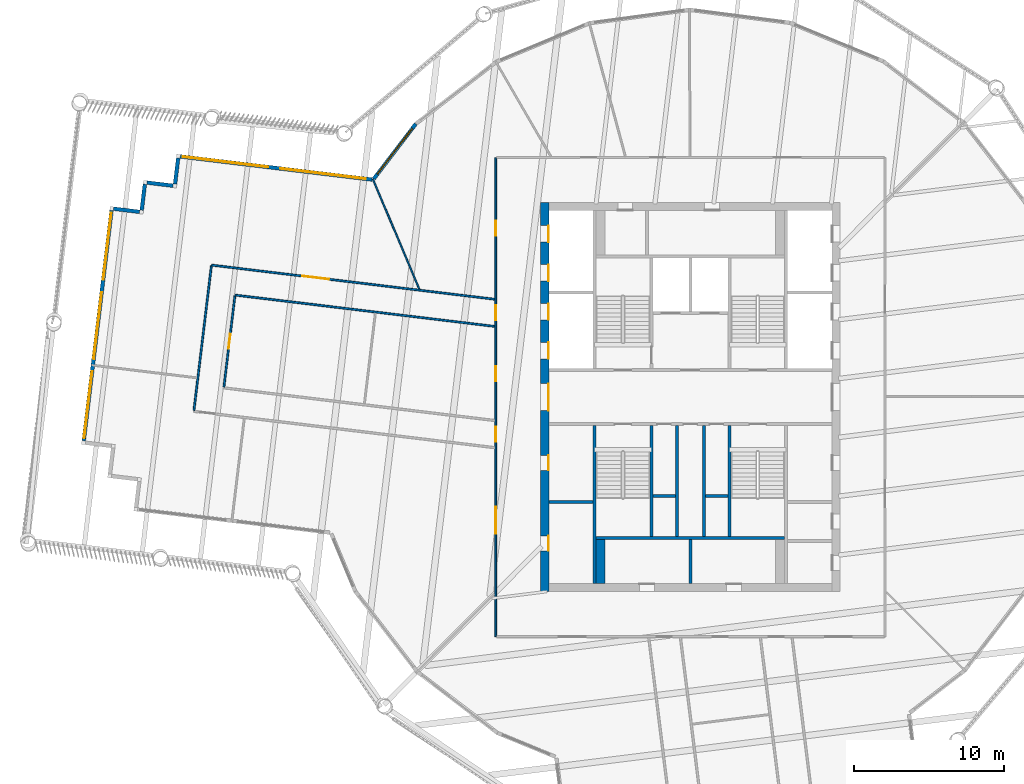
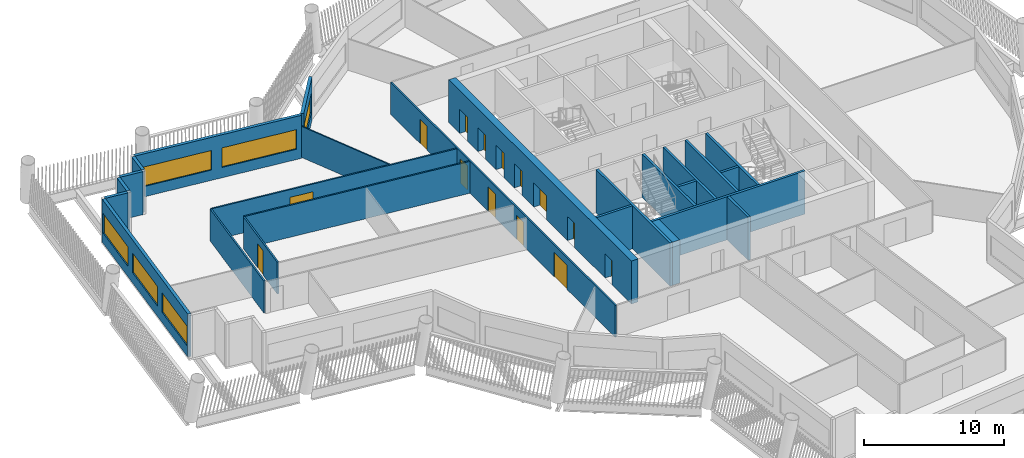
# One storey, part 4 of 14: 25 walls, 14 doors, 6 windows, 20 openings.
"""IFC4 building model written with IfcOpenShell, lengths in metres."""

from ifc_helpers import new_model, si_unit, direction, frame, frame_2d, origin, place, context, subcontext, project, spatial, rectangle, extrude, material, layer, layer_set, type_object, element, fill, save


model = new_model("IFC4")

# Units and contexts
model_context = context("Model", 3, precision=1e-05, world=origin(), true_north=direction((0.0, 1.0)))
body_context = subcontext(model_context, "Body", "Model", "MODEL_VIEW")
ifc_project = project(units=[si_unit("LENGTHUNIT", "METRE"), si_unit("AREAUNIT", "SQUARE_METRE"), si_unit("VOLUMEUNIT", "CUBIC_METRE"), si_unit("PLANEANGLEUNIT", "RADIAN"), si_unit("MASSUNIT", "GRAM", prefix="KILO")], contexts=[model_context])

# Site, building, storey
site_placement = place(None, origin())
site = spatial("IfcSite", under=ifc_project, at=site_placement, CompositionType="ELEMENT")
building_placement = place(site_placement, origin())
building = spatial("IfcBuilding", under=site, at=building_placement, Name="Tarsis Ring Headquarters", CompositionType="ELEMENT")
storey_placement = place(building_placement, frame((0.0, 0.0, 259.10009765625)))
storey = spatial("IfcBuildingStorey", under=building, at=storey_placement, Name="L60", CompositionType="ELEMENT", Elevation=259.10009765625)

# Walls
ifc_material_1 = material(Name="Blockwork", Category="masonry")
ifc_layer_1 = layer(ifc_material_1, 0.199951171875)
ifc_layer_set_1 = layer_set([ifc_layer_1], Name="Core blockwork wall 200")
wall_type_1 = type_object("IfcWallType", Name="Core blockwork wall 200", PredefinedType="PARTITIONING", material=ifc_layer_set_1)
for number, where, z_axis, x_axis, name in (
    (1, (-9.449951171875, -7.0, 0.0), (0.0, 0.0, 1.0), (1.0, 0.0, 0.0), "Core partition WD2"),
    (2, (0.0, -12.449951171875, 0.0), (0.0, 0.0, 1.0), (0.0, 1.0, 0.0), "Core partition SD2"),
):
    element("IfcWall", number, at=place(storey_placement, frame(where, z_axis=z_axis, x_axis=x_axis)), inside=storey, type_object=wall_type_1, Name=name, PredefinedType="PARTITIONING", context=body_context, shape_type="SweptSolid", body=[
        extrude(rectangle(XDim=2.949951171875, YDim=0.199951171875, at=frame_2d((1.47509765625, 0.0))), origin(), (0.0, 0.0, 1.0), 3.739990234375),
    ])
for number, where, z_axis, x_axis, name in (
    (3, (-2.5, -6.60009765625, 0.0), (0.0, 0.0, 1.0), (1.0, 0.0, 0.0), "Core partition SP1"),
    (4, (1.0, -6.60009765625, 0.0), (0.0, 0.0, 1.0), (1.0, 0.0, 0.0), "Core partition SP3"),
):
    element("IfcWall", number, at=place(storey_placement, frame(where, z_axis=z_axis, x_axis=x_axis)), inside=storey, type_object=wall_type_1, Name=name, PredefinedType="PARTITIONING", context=body_context, shape_type="SweptSolid", body=[
        extrude(rectangle(XDim=1.5, YDim=0.199951171875, at=frame_2d((0.75, 0.0))), origin(), (0.0, 0.0, 1.0), 3.739990234375),
    ])
for number, where, z_axis, x_axis, name in (
    (5, (-0.89990234375, -9.300048828125, 0.0), (0.0, 0.0, 1.0), (0.0, 1.0, 0.0), "Core partition SV1"),
    (6, (0.89990234375, -9.300048828125, 0.0), (0.0, 0.0, 1.0), (0.0, 1.0, 0.0), "Core partition SV2"),
):
    element("IfcWall", number, at=place(storey_placement, frame(where, z_axis=z_axis, x_axis=x_axis)), inside=storey, type_object=wall_type_1, Name=name, PredefinedType="PARTITIONING", context=body_context, shape_type="SweptSolid", body=[
        extrude(rectangle(XDim=7.400146484375, YDim=0.199951171875, at=frame_2d((3.7001953125, 0.0))), origin(), (0.0, 0.0, 1.0), 3.739990234375),
    ])

# Wall, openings, doors
ifc_material_2 = material(Name="Concrete C50/60", Category="concrete")
ifc_layer_2 = layer(ifc_material_2, 0.550048828125)
ifc_layer_set_2 = layer_set([ifc_layer_2], Name="Core wall 550 C50/60")
wall_type_2 = type_object("IfcWallType", Name="Core wall 550 C50/60", PredefinedType="SHEAR", material=ifc_layer_set_2)
wall_1_placement = place(storey_placement, frame((-9.72509765625, -13.0, 0.0), z_axis=(0.0, 0.0, 1.0), x_axis=(0.0, 1.0, 0.0)))
wall_1 = element("IfcWall", 7, at=wall_1_placement, inside=storey, type_object=wall_type_2, Name="Core wall OW", PredefinedType="SHEAR", context=body_context, shape_type="SweptSolid", body=[
    extrude(rectangle(XDim=26.0, YDim=0.550048828125, at=frame_2d((13.0, 0.0))), origin(), (0.0, 0.0, 1.0), 3.739990234375),
])
opening_1_placement = place(wall_1_placement, frame((2.72509765625, 0.0, 0.0)))
opening_1 = element("IfcOpeningElement", 8, at=opening_1_placement, cuts=wall_1, Name="Opening L60-C01", PredefinedType="OPENING", context=body_context, shape_type="SweptSolid", body=[
    extrude(rectangle(XDim=1.0, YDim=2.10009765625, at=frame_2d((0.5, 1.050048828125))), frame((0.0, 0.284912109375, 0.0), z_axis=(0.0, -1.0, 0.0), x_axis=(1.0, 0.0, 0.0)), (0.0, 0.0, 1.0), 0.570068359375),
])
opening_2_placement = place(wall_1_placement, frame((8.10009765625, 0.0, 0.0)))
opening_2 = element("IfcOpeningElement", 9, at=opening_2_placement, cuts=wall_1, Name="Opening L60-C02", PredefinedType="OPENING", context=body_context, shape_type="SweptSolid", body=[
    extrude(rectangle(XDim=1.0, YDim=2.10009765625, at=frame_2d((0.5, 1.050048828125))), frame((0.0, 0.284912109375, 0.0), z_axis=(0.0, -1.0, 0.0), x_axis=(1.0, 0.0, 0.0)), (0.0, 0.0, 1.0), 0.570068359375),
])
opening_3_placement = place(wall_1_placement, frame((12.10009765625, 0.0, 0.0)))
opening_3 = element("IfcOpeningElement", 10, at=opening_3_placement, cuts=wall_1, Name="Opening L60-C03", PredefinedType="OPENING", context=body_context, shape_type="SweptSolid", body=[
    extrude(rectangle(XDim=1.800048828125, YDim=2.10009765625, at=frame_2d((0.89990234375, 1.050048828125))), frame((0.0, 0.284912109375, 0.0), z_axis=(0.0, -1.0, 0.0), x_axis=(1.0, 0.0, 0.0)), (0.0, 0.0, 1.0), 0.570068359375),
])
opening_4_placement = place(wall_1_placement, frame((15.550048828125, 0.0, 0.0)))
opening_4 = element("IfcOpeningElement", 11, at=opening_4_placement, cuts=wall_1, Name="Opening LD-HR1", PredefinedType="OPENING", context=body_context, shape_type="SweptSolid", body=[
    extrude(rectangle(XDim=1.10009765625, YDim=2.10009765625, at=frame_2d((0.550048828125, 1.050048828125))), frame((0.0, 0.284912109375, 0.0), z_axis=(0.0, -1.0, 0.0), x_axis=(1.0, 0.0, 0.0)), (0.0, 0.0, 1.0), 0.570068359375),
])
opening_5_placement = place(wall_1_placement, frame((18.14990234375, 0.0, 0.0)))
opening_5 = element("IfcOpeningElement", 12, at=opening_5_placement, cuts=wall_1, Name="Opening LD-HR2", PredefinedType="OPENING", context=body_context, shape_type="SweptSolid", body=[
    extrude(rectangle(XDim=1.10009765625, YDim=2.10009765625, at=frame_2d((0.550048828125, 1.050048828125))), frame((0.0, 0.284912109375, 0.0), z_axis=(0.0, -1.0, 0.0), x_axis=(1.0, 0.0, 0.0)), (0.0, 0.0, 1.0), 0.570068359375),
])
opening_6_placement = place(wall_1_placement, frame((20.75, 0.0, 0.0)))
opening_6 = element("IfcOpeningElement", 13, at=opening_6_placement, cuts=wall_1, Name="Opening LD-HR3", PredefinedType="OPENING", context=body_context, shape_type="SweptSolid", body=[
    extrude(rectangle(XDim=1.10009765625, YDim=2.10009765625, at=frame_2d((0.550048828125, 1.050048828125))), frame((0.0, 0.284912109375, 0.0), z_axis=(0.0, -1.0, 0.0), x_axis=(1.0, 0.0, 0.0)), (0.0, 0.0, 1.0), 0.570068359375),
])
opening_7_placement = place(wall_1_placement, frame((23.35009765625, 0.0, 0.0)))
opening_7 = element("IfcOpeningElement", 14, at=opening_7_placement, cuts=wall_1, Name="Opening LD-HR4", PredefinedType="OPENING", context=body_context, shape_type="SweptSolid", body=[
    extrude(rectangle(XDim=1.10009765625, YDim=2.10009765625, at=frame_2d((0.550048828125, 1.050048828125))), frame((0.0, 0.284912109375, 0.0), z_axis=(0.0, -1.0, 0.0), x_axis=(1.0, 0.0, 0.0)), (0.0, 0.0, 1.0), 0.570068359375),
])
ifc_material_3 = material(Name="Steel S355", Category="steel")
door_type_1 = type_object("IfcDoorType", Name="Core entry door 1800x2100", OperationType="DOUBLE_DOOR_SINGLE_SWING", PredefinedType="DOOR", material=ifc_material_3)
door_1_placement = place(opening_3_placement, origin())
door_1 = element("IfcDoor", 15, at=door_1_placement, inside=storey, type_object=door_type_1, Name="Core entry door L60", OperationType="DOUBLE_DOOR_SINGLE_SWING", OverallHeight=2.10009765625, OverallWidth=1.800048828125, PredefinedType="DOOR", context=body_context, shape_type="SweptSolid", body=[
    extrude(rectangle(XDim=1.800048828125, YDim=2.10009765625, at=frame_2d((0.89990234375, 1.050048828125))), frame((0.0, -0.22509765625, 0.0), z_axis=(0.0, -1.0, 0.0), x_axis=(1.0, 0.0, 0.0)), (0.0, 0.0, 1.0), 0.050048828125),
])
fill(opening_3, door_1)
door_type_2 = type_object("IfcDoorType", Name="Core room door 1000x2100", OperationType="SINGLE_SWING_LEFT", PredefinedType="DOOR", material=ifc_material_3)
door_2_placement = place(opening_1_placement, origin())
door_2 = element("IfcDoor", 16, at=door_2_placement, inside=storey, type_object=door_type_2, Name="Core room door L60", OperationType="SINGLE_SWING_LEFT", OverallHeight=2.10009765625, OverallWidth=1.0, PredefinedType="DOOR", context=body_context, shape_type="SweptSolid", body=[
    extrude(rectangle(XDim=1.0, YDim=2.10009765625, at=frame_2d((0.5, 1.050048828125))), frame((0.0, -0.22509765625, 0.0), z_axis=(0.0, -1.0, 0.0), x_axis=(1.0, 0.0, 0.0)), (0.0, 0.0, 1.0), 0.050048828125),
])
fill(opening_1, door_2)
door_3_placement = place(opening_2_placement, origin())
door_3 = element("IfcDoor", 17, at=door_3_placement, inside=storey, type_object=door_type_2, Name="Core room door L60", OperationType="SINGLE_SWING_LEFT", OverallHeight=2.10009765625, OverallWidth=1.0, PredefinedType="DOOR", context=body_context, shape_type="SweptSolid", body=[
    extrude(rectangle(XDim=1.0, YDim=2.10009765625, at=frame_2d((0.5, 1.050048828125))), frame((0.0, -0.22509765625, 0.0), z_axis=(0.0, -1.0, 0.0), x_axis=(1.0, 0.0, 0.0)), (0.0, 0.0, 1.0), 0.050048828125),
])
fill(opening_2, door_3)
door_type_3 = type_object("IfcDoorType", Name="Landing door 1100x2100", OperationType="SLIDING_TO_LEFT", PredefinedType="DOOR", material=ifc_material_3)
door_4_placement = place(opening_4_placement, origin())
door_4 = element("IfcDoor", 18, at=door_4_placement, inside=storey, type_object=door_type_3, Name="Landing door HR1 L60", OperationType="SLIDING_TO_LEFT", OverallHeight=2.10009765625, OverallWidth=1.10009765625, PredefinedType="DOOR", context=body_context, shape_type="SweptSolid", body=[
    extrude(rectangle(XDim=1.10009765625, YDim=2.10009765625, at=frame_2d((0.550048828125, 1.050048828125))), frame((0.0, -0.22509765625, 0.0), z_axis=(0.0, -1.0, 0.0), x_axis=(1.0, 0.0, 0.0)), (0.0, 0.0, 1.0), 0.050048828125),
])
fill(opening_4, door_4)
door_5_placement = place(opening_5_placement, origin())
door_5 = element("IfcDoor", 19, at=door_5_placement, inside=storey, type_object=door_type_3, Name="Landing door HR2 L60", OperationType="SLIDING_TO_LEFT", OverallHeight=2.10009765625, OverallWidth=1.10009765625, PredefinedType="DOOR", context=body_context, shape_type="SweptSolid", body=[
    extrude(rectangle(XDim=1.10009765625, YDim=2.10009765625, at=frame_2d((0.550048828125, 1.050048828125))), frame((0.0, -0.22509765625, 0.0), z_axis=(0.0, -1.0, 0.0), x_axis=(1.0, 0.0, 0.0)), (0.0, 0.0, 1.0), 0.050048828125),
])
fill(opening_5, door_5)
door_6_placement = place(opening_6_placement, origin())
door_6 = element("IfcDoor", 20, at=door_6_placement, inside=storey, type_object=door_type_3, Name="Landing door HR3 L60", OperationType="SLIDING_TO_LEFT", OverallHeight=2.10009765625, OverallWidth=1.10009765625, PredefinedType="DOOR", context=body_context, shape_type="SweptSolid", body=[
    extrude(rectangle(XDim=1.10009765625, YDim=2.10009765625, at=frame_2d((0.550048828125, 1.050048828125))), frame((0.0, -0.22509765625, 0.0), z_axis=(0.0, -1.0, 0.0), x_axis=(1.0, 0.0, 0.0)), (0.0, 0.0, 1.0), 0.050048828125),
])
fill(opening_6, door_6)
door_7_placement = place(opening_7_placement, origin())
door_7 = element("IfcDoor", 21, at=door_7_placement, inside=storey, type_object=door_type_3, Name="Landing door HR4 L60", OperationType="SLIDING_TO_LEFT", OverallHeight=2.10009765625, OverallWidth=1.10009765625, PredefinedType="DOOR", context=body_context, shape_type="SweptSolid", body=[
    extrude(rectangle(XDim=1.10009765625, YDim=2.10009765625, at=frame_2d((0.550048828125, 1.050048828125))), frame((0.0, -0.22509765625, 0.0), z_axis=(0.0, -1.0, 0.0), x_axis=(1.0, 0.0, 0.0)), (0.0, 0.0, 1.0), 0.050048828125),
])
fill(opening_7, door_7)

# Wall
ifc_material_4 = material(Name="Gypsum board on steel studs", Category="steel")
ifc_layer_3 = layer(ifc_material_4, 0.10009765625)
ifc_layer_set_3 = layer_set([ifc_layer_3], Name="FL partition 100 unrated")
wall_type_3 = type_object("IfcWallType", Name="FL partition 100 unrated", PredefinedType="PARTITIONING", material=ifc_layer_set_3)
wall_2_placement = place(storey_placement, frame((-21.210205078125, 14.570556640625, 0.0), z_axis=(0.0, 0.0, 1.0), x_axis=(0.388634332121, -0.921392075013, 0.0)))
element("IfcWall", 22, at=wall_2_placement, inside=storey, type_object=wall_type_3, Name="Partition PW3", PredefinedType="PARTITIONING", context=body_context, shape_type="SweptSolid", body=[
    extrude(rectangle(XDim=7.976806640625, YDim=0.10009765625, at=frame_2d((3.98828125, 0.0))), origin(), (0.0, 0.0, 1.0), 2.699951171875),
])

# Wall, openings, doors
ifc_layer_4 = layer(ifc_material_4, 0.125)
ifc_layer_set_4 = layer_set([ifc_layer_4], Name="FL partition 125 EI 60 H2770")
wall_type_4 = type_object("IfcWallType", Name="FL partition 125 EI 60 H2770", PredefinedType="PARTITIONING", material=ifc_layer_set_4)
wall_3_placement = place(storey_placement, frame((-13.0, -16.0, 0.0), z_axis=(0.0, 0.0, 1.0), x_axis=(0.0, 1.0, 0.0)))
wall_3 = element("IfcWall", 23, at=wall_3_placement, inside=storey, type_object=wall_type_4, Name="Partition PW1", PredefinedType="PARTITIONING", context=body_context, shape_type="SweptSolid", body=[
    extrude(rectangle(XDim=32.0, YDim=0.125, at=frame_2d((16.0, 0.0))), origin(), (0.0, 0.0, 1.0), 2.77001953125),
])
opening_8_placement = place(wall_3_placement, frame((26.76220703125, 0.0, 0.0)))
opening_8 = element("IfcOpeningElement", 24, at=opening_8_placement, cuts=wall_3, Name="Opening D60.03", PredefinedType="OPENING", context=body_context, shape_type="SweptSolid", body=[
    extrude(rectangle(XDim=1.0, YDim=2.10009765625, at=frame_2d((0.5, 1.050048828125))), frame((0.0, 0.072509765625, 0.0), z_axis=(0.0, -1.0, 0.0), x_axis=(1.0, 0.0, 0.0)), (0.0, 0.0, 1.0), 0.14501953125),
])
opening_9_placement = place(wall_3_placement, frame((6.879150390625, 0.0, 0.0)))
opening_9 = element("IfcOpeningElement", 25, at=opening_9_placement, cuts=wall_3, Name="Opening D60.12", PredefinedType="OPENING", context=body_context, shape_type="SweptSolid", body=[
    extrude(rectangle(XDim=1.800048828125, YDim=2.10009765625, at=frame_2d((0.89990234375, 1.050048828125))), frame((0.0, 0.072509765625, 0.0), z_axis=(0.0, -1.0, 0.0), x_axis=(1.0, 0.0, 0.0)), (0.0, 0.0, 1.0), 0.14501953125),
])
opening_10_placement = place(wall_3_placement, frame((17.068603515625, 0.0, 0.0)))
opening_10 = element("IfcOpeningElement", 26, at=opening_10_placement, cuts=wall_3, Name="Opening D60.13", PredefinedType="OPENING", context=body_context, shape_type="SweptSolid", body=[
    extrude(rectangle(XDim=1.0, YDim=2.10009765625, at=frame_2d((0.5, 1.050048828125))), frame((0.0, 0.072509765625, 0.0), z_axis=(0.0, -1.0, 0.0), x_axis=(1.0, 0.0, 0.0)), (0.0, 0.0, 1.0), 0.14501953125),
])
opening_11_placement = place(wall_3_placement, frame((13.019287109375, 0.0, 0.0)))
opening_11 = element("IfcOpeningElement", 27, at=opening_11_placement, cuts=wall_3, Name="Opening D60.19", PredefinedType="OPENING", context=body_context, shape_type="SweptSolid", body=[
    extrude(rectangle(XDim=1.0, YDim=2.10009765625, at=frame_2d((0.5, 1.050048828125))), frame((0.0, 0.072509765625, 0.0), z_axis=(0.0, -1.0, 0.0), x_axis=(1.0, 0.0, 0.0)), (0.0, 0.0, 1.0), 0.14501953125),
])
opening_12_placement = place(wall_3_placement, frame((21.11767578125, 0.0, 0.0)))
opening_12 = element("IfcOpeningElement", 28, at=opening_12_placement, cuts=wall_3, Name="Opening D60.20", PredefinedType="OPENING", context=body_context, shape_type="SweptSolid", body=[
    extrude(rectangle(XDim=1.0, YDim=2.10009765625, at=frame_2d((0.5, 1.050048828125))), frame((0.0, 0.072509765625, 0.0), z_axis=(0.0, -1.0, 0.0), x_axis=(1.0, 0.0, 0.0)), (0.0, 0.0, 1.0), 0.14501953125),
])
ifc_material_5 = material(Name="Fire-rated timber door leaf in steel frame", Category="steel")
door_type_4 = type_object("IfcDoorType", Name="FL door FD60-1000", OperationType="NOTDEFINED", PredefinedType="DOOR", material=ifc_material_5)
door_8_placement = place(opening_8_placement, origin())
door_8 = element("IfcDoor", 29, at=door_8_placement, inside=storey, type_object=door_type_4, Name="Door D60.03", OperationType="SINGLE_SWING_LEFT", OverallHeight=2.10009765625, OverallWidth=1.0, PredefinedType="DOOR", context=body_context, shape_type="SweptSolid", body=[
    extrude(rectangle(XDim=1.0, YDim=2.10009765625, at=frame_2d((0.5, 1.050048828125))), frame((0.0, 0.02490234375, 0.0), z_axis=(0.0, -1.0, 0.0), x_axis=(1.0, 0.0, 0.0)), (0.0, 0.0, 1.0), 0.050048828125),
])
fill(opening_8, door_8)
door_9_placement = place(opening_10_placement, origin())
door_9 = element("IfcDoor", 30, at=door_9_placement, inside=storey, type_object=door_type_4, Name="Door D60.13", OperationType="SINGLE_SWING_LEFT", OverallHeight=2.10009765625, OverallWidth=1.0, PredefinedType="DOOR", context=body_context, shape_type="SweptSolid", body=[
    extrude(rectangle(XDim=1.0, YDim=2.10009765625, at=frame_2d((0.5, 1.050048828125))), frame((0.0, 0.02490234375, 0.0), z_axis=(0.0, -1.0, 0.0), x_axis=(1.0, 0.0, 0.0)), (0.0, 0.0, 1.0), 0.050048828125),
])
fill(opening_10, door_9)
door_10_placement = place(opening_11_placement, origin())
door_10 = element("IfcDoor", 31, at=door_10_placement, inside=storey, type_object=door_type_4, Name="Door D60.19", OperationType="SINGLE_SWING_LEFT", OverallHeight=2.10009765625, OverallWidth=1.0, PredefinedType="DOOR", context=body_context, shape_type="SweptSolid", body=[
    extrude(rectangle(XDim=1.0, YDim=2.10009765625, at=frame_2d((0.5, 1.050048828125))), frame((0.0, 0.02490234375, 0.0), z_axis=(0.0, -1.0, 0.0), x_axis=(1.0, 0.0, 0.0)), (0.0, 0.0, 1.0), 0.050048828125),
])
fill(opening_11, door_10)
door_11_placement = place(opening_12_placement, origin())
door_11 = element("IfcDoor", 32, at=door_11_placement, inside=storey, type_object=door_type_4, Name="Door D60.20", OperationType="SINGLE_SWING_RIGHT", OverallHeight=2.10009765625, OverallWidth=1.0, PredefinedType="DOOR", context=body_context, shape_type="SweptSolid", body=[
    extrude(rectangle(XDim=1.0, YDim=2.10009765625, at=frame_2d((0.5, 1.050048828125))), frame((0.0, 0.02490234375, 0.0), z_axis=(0.0, -1.0, 0.0), x_axis=(1.0, 0.0, 0.0)), (0.0, 0.0, 1.0), 0.050048828125),
])
fill(opening_12, door_11)
door_type_5 = type_object("IfcDoorType", Name="FL door FD60-1800", OperationType="DOUBLE_DOOR_SINGLE_SWING", PredefinedType="DOOR", material=ifc_material_5)
door_12_placement = place(opening_9_placement, origin())
door_12 = element("IfcDoor", 33, at=door_12_placement, inside=storey, type_object=door_type_5, Name="Door D60.12", OperationType="DOUBLE_DOOR_SINGLE_SWING", OverallHeight=2.10009765625, OverallWidth=1.800048828125, PredefinedType="DOOR", context=body_context, shape_type="SweptSolid", body=[
    extrude(rectangle(XDim=1.800048828125, YDim=2.10009765625, at=frame_2d((0.89990234375, 1.050048828125))), frame((0.0, 0.02490234375, 0.0), z_axis=(0.0, -1.0, 0.0), x_axis=(1.0, 0.0, 0.0)), (0.0, 0.0, 1.0), 0.050048828125),
])
fill(opening_9, door_12)

# Wall, opening, door
wall_4_placement = place(storey_placement, frame((-31.984375, 8.81494140625, 0.0), z_axis=(0.0, 0.0, 1.0), x_axis=(0.992799318325, -0.11978945502, 0.0)))
wall_4 = element("IfcWall", 34, at=wall_4_placement, inside=storey, type_object=wall_type_4, Name="Partition PW1", PredefinedType="PARTITIONING", context=body_context, shape_type="SweptSolid", body=[
    extrude(rectangle(XDim=19.052001953125, YDim=0.125, at=frame_2d((9.52587890625, 0.0))), origin(), (0.0, 0.0, 1.0), 2.77001953125),
])
opening_13_placement = place(wall_4_placement, frame((6.10400390625, 0.0, 0.0)))
opening_13 = element("IfcOpeningElement", 35, at=opening_13_placement, cuts=wall_4, Name="Opening D60.02", PredefinedType="OPENING", context=body_context, shape_type="SweptSolid", body=[
    extrude(rectangle(XDim=1.800048828125, YDim=2.10009765625, at=frame_2d((0.89990234375, 1.050048828125))), frame((0.0, 0.072509765625, 0.0), z_axis=(0.0, -1.0, 0.0), x_axis=(1.0, 0.0, 0.0)), (0.0, 0.0, 1.0), 0.14501953125),
])
door_13_placement = place(opening_13_placement, origin())
door_13 = element("IfcDoor", 36, at=door_13_placement, inside=storey, type_object=door_type_5, Name="Door D60.02", OperationType="DOUBLE_DOOR_SINGLE_SWING", OverallHeight=2.10009765625, OverallWidth=1.800048828125, PredefinedType="DOOR", context=body_context, shape_type="SweptSolid", body=[
    extrude(rectangle(XDim=1.800048828125, YDim=2.10009765625, at=frame_2d((0.89990234375, 1.050048828125))), frame((0.0, 0.02490234375, 0.0), z_axis=(0.0, -1.0, 0.0), x_axis=(1.0, 0.0, 0.0)), (0.0, 0.0, 1.0), 0.050048828125),
])
fill(opening_13, door_13)

# Walls
wall_5_placement = place(storey_placement, frame((-30.4130859375, 6.812255859375, 0.0), z_axis=(0.0, 0.0, 1.0), x_axis=(0.992798393081, -0.119797123066, 0.0)))
element("IfcWall", 37, at=wall_5_placement, inside=storey, type_object=wall_type_4, Name="Partition PW1", PredefinedType="PARTITIONING", context=body_context, shape_type="SweptSolid", body=[
    extrude(rectangle(XDim=17.46923828125, YDim=0.125, at=frame_2d((8.734619140625, 0.0))), origin(), (0.0, 0.0, 1.0), 2.77001953125),
])
wall_6_placement = place(storey_placement, frame((-33.156005859375, -0.894775390625, 0.0), z_axis=(0.0, 0.0, 1.0), x_axis=(0.119783025493, 0.992800094079, 0.0)))
element("IfcWall", 38, at=wall_6_placement, inside=storey, type_object=wall_type_4, Name="Partition PW1", PredefinedType="PARTITIONING", context=body_context, shape_type="SweptSolid", body=[
    extrude(rectangle(XDim=9.72021484375, YDim=0.125, at=frame_2d((4.860107421875, 0.0))), origin(), (0.0, 0.0, 1.0), 2.77001953125),
])

# Wall, opening, door
wall_7_placement = place(storey_placement, frame((-31.1533203125, 0.6767578125, 0.0), z_axis=(0.0, 0.0, 1.0), x_axis=(0.119796432858, 0.992798476366, 0.0)))
wall_7 = element("IfcWall", 39, at=wall_7_placement, inside=storey, type_object=wall_type_4, Name="Partition PW1", PredefinedType="PARTITIONING", context=body_context, shape_type="SweptSolid", body=[
    extrude(rectangle(XDim=6.1201171875, YDim=0.125, at=frame_2d((3.06005859375, 0.0))), origin(), (0.0, 0.0, 1.0), 2.77001953125),
])
opening_14_placement = place(wall_7_placement, frame((2.56005859375, 0.0, 0.0)))
opening_14 = element("IfcOpeningElement", 40, at=opening_14_placement, cuts=wall_7, Name="Opening D60.14", PredefinedType="OPENING", context=body_context, shape_type="SweptSolid", body=[
    extrude(rectangle(XDim=1.0, YDim=2.10009765625, at=frame_2d((0.5, 1.050048828125))), frame((0.0, 0.072509765625, 0.0), z_axis=(0.0, -1.0, 0.0), x_axis=(1.0, 0.0, 0.0)), (0.0, 0.0, 1.0), 0.14501953125),
])
door_14_placement = place(opening_14_placement, origin())
door_14 = element("IfcDoor", 41, at=door_14_placement, inside=storey, type_object=door_type_4, Name="Door D60.14", OperationType="SINGLE_SWING_RIGHT", OverallHeight=2.10009765625, OverallWidth=1.0, PredefinedType="DOOR", context=body_context, shape_type="SweptSolid", body=[
    extrude(rectangle(XDim=1.0, YDim=2.10009765625, at=frame_2d((0.5, 1.050048828125))), frame((0.0, 0.02490234375, 0.0), z_axis=(0.0, -1.0, 0.0), x_axis=(1.0, 0.0, 0.0)), (0.0, 0.0, 1.0), 0.050048828125),
])
fill(opening_14, door_14)

# Wall, opening, window
ifc_material_6 = material(Name="Terracotta clad insulated panel wall", Category="masonry")
ifc_layer_5 = layer(ifc_material_6, 0.25)
ifc_layer_set_5 = layer_set([ifc_layer_5], Name="Facade wall terracotta panel 250")
wall_type_5 = type_object("IfcWallType", Name="Facade wall terracotta panel 250", PredefinedType="STANDARD", material=ifc_layer_set_5)
wall_8_placement = place(storey_placement, frame((-18.343994140625, 18.244140625, 0.0), z_axis=(0.0, 0.0, 1.0), x_axis=(-0.607098778657, -0.79462637318, 0.0)))
wall_8 = element("IfcWall", 42, at=wall_8_placement, inside=storey, type_object=wall_type_5, Name="External wall L60-30", PredefinedType="STANDARD", context=body_context, shape_type="SweptSolid", body=[
    extrude(rectangle(XDim=4.617919921875, YDim=0.25, at=frame_2d((2.30908203125, 0.0))), origin(), (0.0, 0.0, 1.0), 3.739990234375),
])
opening_15_placement = place(wall_8_placement, frame((0.367431640625, 0.0, 0.89990234375)))
opening_15 = element("IfcOpeningElement", 43, at=opening_15_placement, cuts=wall_8, Name="Opening WN02", PredefinedType="OPENING", context=body_context, shape_type="SweptSolid", body=[
    extrude(rectangle(XDim=3.85009765625, YDim=1.699951171875, at=frame_2d((1.925048828125, 0.85009765625))), frame((0.0, 0.135009765625, 0.0), z_axis=(0.0, -1.0, 0.0), x_axis=(1.0, 0.0, 0.0)), (0.0, 0.0, 1.0), 0.27001953125),
])
ifc_material_7 = material(Name="Aluminium framed double glazing", Category="aluminium")
window_type_1 = type_object("IfcWindowType", Name="Facade window 3850 x 1700", PartitioningType="SINGLE_PANEL", PredefinedType="WINDOW", material=ifc_material_7)
window_1_placement = place(opening_15_placement, origin())
window_1 = element("IfcWindow", 44, at=window_1_placement, inside=storey, type_object=window_type_1, Name="Window L60-30.1", OverallHeight=1.699951171875, OverallWidth=3.85009765625, PartitioningType="SINGLE_PANEL", PredefinedType="WINDOW", context=body_context, shape_type="SweptSolid", body=[
    extrude(rectangle(XDim=3.85009765625, YDim=1.699951171875, at=frame_2d((1.925048828125, 0.85009765625))), frame((0.0, 0.030029296875, 0.0), z_axis=(0.0, -1.0, 0.0), x_axis=(1.0, 0.0, 0.0)), (0.0, 0.0, 1.0), 0.06005859375),
])
fill(opening_15, window_1)

# Wall, openings, windows
wall_9_placement = place(storey_placement, frame((-21.26171875, 14.526611328125, 0.0), z_axis=(0.0, 0.0, 1.0), x_axis=(-0.992799532528, 0.119787679715, 0.0)))
wall_9 = element("IfcWall", 45, at=wall_9_placement, inside=storey, type_object=wall_type_5, Name="External wall L60-31", PredefinedType="STANDARD", context=body_context, shape_type="SweptSolid", body=[
    extrude(rectangle(XDim=12.901123046875, YDim=0.25, at=frame_2d((6.45068359375, 0.0))), origin(), (0.0, 0.0, 1.0), 3.739990234375),
])
opening_16_placement = place(wall_9_placement, frame((0.412841796875, 0.0, 0.89990234375)))
opening_16 = element("IfcOpeningElement", 46, at=opening_16_placement, cuts=wall_9, Name="Opening WN06", PredefinedType="OPENING", context=body_context, shape_type="SweptSolid", body=[
    extrude(rectangle(XDim=5.75, YDim=1.699951171875, at=frame_2d((2.875, 0.85009765625))), frame((0.0, 0.135009765625, 0.0), z_axis=(0.0, -1.0, 0.0), x_axis=(1.0, 0.0, 0.0)), (0.0, 0.0, 1.0), 0.27001953125),
])
opening_17_placement = place(wall_9_placement, frame((6.988525390625, 0.0, 0.89990234375)))
opening_17 = element("IfcOpeningElement", 47, at=opening_17_placement, cuts=wall_9, Name="Opening WN06", PredefinedType="OPENING", context=body_context, shape_type="SweptSolid", body=[
    extrude(rectangle(XDim=5.75, YDim=1.699951171875, at=frame_2d((2.875, 0.85009765625))), frame((0.0, 0.135009765625, 0.0), z_axis=(0.0, -1.0, 0.0), x_axis=(1.0, 0.0, 0.0)), (0.0, 0.0, 1.0), 0.27001953125),
])
window_type_2 = type_object("IfcWindowType", Name="Facade window 5750 x 1700", PartitioningType="SINGLE_PANEL", PredefinedType="WINDOW", material=ifc_material_7)
window_2_placement = place(opening_16_placement, origin())
window_2 = element("IfcWindow", 48, at=window_2_placement, inside=storey, type_object=window_type_2, Name="Window L60-31.1", OverallHeight=1.699951171875, OverallWidth=5.75, PartitioningType="SINGLE_PANEL", PredefinedType="WINDOW", context=body_context, shape_type="SweptSolid", body=[
    extrude(rectangle(XDim=5.75, YDim=1.699951171875, at=frame_2d((2.875, 0.85009765625))), frame((0.0, 0.030029296875, 0.0), z_axis=(0.0, -1.0, 0.0), x_axis=(1.0, 0.0, 0.0)), (0.0, 0.0, 1.0), 0.06005859375),
])
fill(opening_16, window_2)
window_3_placement = place(opening_17_placement, origin())
window_3 = element("IfcWindow", 49, at=window_3_placement, inside=storey, type_object=window_type_2, Name="Window L60-31.2", OverallHeight=1.699951171875, OverallWidth=5.75, PartitioningType="SINGLE_PANEL", PredefinedType="WINDOW", context=body_context, shape_type="SweptSolid", body=[
    extrude(rectangle(XDim=5.75, YDim=1.699951171875, at=frame_2d((2.875, 0.85009765625))), frame((0.0, 0.030029296875, 0.0), z_axis=(0.0, -1.0, 0.0), x_axis=(1.0, 0.0, 0.0)), (0.0, 0.0, 1.0), 0.06005859375),
])
fill(opening_17, window_3)

# Walls
for number, where, z_axis, x_axis, name in (
    (50, (-34.209228515625, 15.962890625, 0.0), (0.0, 0.0, 1.0), (-0.119706354007, -0.992809341621, 0.0), "External wall L60-32"),
    (51, (-34.557861328125, 14.116455078125, 0.0), (0.0, 0.0, 1.0), (-0.992809341621, 0.119706354007, 0.0), "External wall L60-33"),
    (52, (-36.434326171875, 14.216796875, 0.0), (0.0, 0.0, 1.0), (-0.119843869218, -0.992792751288, 0.0), "External wall L60-34"),
):
    element("IfcWall", number, at=place(storey_placement, frame(where, z_axis=z_axis, x_axis=x_axis)), inside=storey, type_object=wall_type_5, Name=name, PredefinedType="STANDARD", context=body_context, shape_type="SweptSolid", body=[
        extrude(rectangle(XDim=1.75, YDim=0.25, at=frame_2d((0.875, 0.0))), origin(), (0.0, 0.0, 1.0), 3.739990234375),
    ])
wall_10_placement = place(storey_placement, frame((-36.782958984375, 12.370361328125, 0.0), z_axis=(0.0, 0.0, 1.0), x_axis=(-0.992794754672, 0.119827271921, 0.0)))
element("IfcWall", 53, at=wall_10_placement, inside=storey, type_object=wall_type_5, Name="External wall L60-35", PredefinedType="STANDARD", context=body_context, shape_type="SweptSolid", body=[
    extrude(rectangle(XDim=1.750244140625, YDim=0.25, at=frame_2d((0.875, 0.0))), origin(), (0.0, 0.0, 1.0), 3.739990234375),
])

# Wall, openings, windows
wall_11_placement = place(storey_placement, frame((-38.659423828125, 12.470947265625, 0.0), z_axis=(0.0, 0.0, 1.0), x_axis=(-0.119801690998, -0.992797841876, 0.0)))
wall_11 = element("IfcWall", 54, at=wall_11_placement, inside=storey, type_object=wall_type_5, Name="External wall L60-36", PredefinedType="STANDARD", context=body_context, shape_type="SweptSolid", body=[
    extrude(rectangle(XDim=15.5, YDim=0.25, at=frame_2d((7.75, 0.0))), origin(), (0.0, 0.0, 1.0), 3.739990234375),
])
opening_18_placement = place(wall_11_placement, frame((0.166748046875, 0.0, 0.89990234375)))
opening_18 = element("IfcOpeningElement", 55, at=opening_18_placement, cuts=wall_11, Name="Opening WN04", PredefinedType="OPENING", context=body_context, shape_type="SweptSolid", body=[
    extrude(rectangle(XDim=4.5, YDim=1.699951171875, at=frame_2d((2.25, 0.85009765625))), frame((0.0, 0.135009765625, 0.0), z_axis=(0.0, -1.0, 0.0), x_axis=(1.0, 0.0, 0.0)), (0.0, 0.0, 1.0), 0.27001953125),
])
opening_19_placement = place(wall_11_placement, frame((5.5, 0.0, 0.89990234375)))
opening_19 = element("IfcOpeningElement", 56, at=opening_19_placement, cuts=wall_11, Name="Opening WN04", PredefinedType="OPENING", context=body_context, shape_type="SweptSolid", body=[
    extrude(rectangle(XDim=4.5, YDim=1.699951171875, at=frame_2d((2.25, 0.85009765625))), frame((0.0, 0.135009765625, 0.0), z_axis=(0.0, -1.0, 0.0), x_axis=(1.0, 0.0, 0.0)), (0.0, 0.0, 1.0), 0.27001953125),
])
opening_20_placement = place(wall_11_placement, frame((10.833251953125, 0.0, 0.89990234375)))
opening_20 = element("IfcOpeningElement", 57, at=opening_20_placement, cuts=wall_11, Name="Opening WN04", PredefinedType="OPENING", context=body_context, shape_type="SweptSolid", body=[
    extrude(rectangle(XDim=4.5, YDim=1.699951171875, at=frame_2d((2.25, 0.85009765625))), frame((0.0, 0.135009765625, 0.0), z_axis=(0.0, -1.0, 0.0), x_axis=(1.0, 0.0, 0.0)), (0.0, 0.0, 1.0), 0.27001953125),
])
window_type_3 = type_object("IfcWindowType", Name="Facade window 4500 x 1700", PartitioningType="SINGLE_PANEL", PredefinedType="WINDOW", material=ifc_material_7)
window_4_placement = place(opening_18_placement, origin())
window_4 = element("IfcWindow", 58, at=window_4_placement, inside=storey, type_object=window_type_3, Name="Window L60-36.1", OverallHeight=1.699951171875, OverallWidth=4.5, PartitioningType="SINGLE_PANEL", PredefinedType="WINDOW", context=body_context, shape_type="SweptSolid", body=[
    extrude(rectangle(XDim=4.5, YDim=1.699951171875, at=frame_2d((2.25, 0.85009765625))), frame((0.0, 0.030029296875, 0.0), z_axis=(0.0, -1.0, 0.0), x_axis=(1.0, 0.0, 0.0)), (0.0, 0.0, 1.0), 0.06005859375),
])
fill(opening_18, window_4)
window_5_placement = place(opening_19_placement, origin())
window_5 = element("IfcWindow", 59, at=window_5_placement, inside=storey, type_object=window_type_3, Name="Window L60-36.2", OverallHeight=1.699951171875, OverallWidth=4.5, PartitioningType="SINGLE_PANEL", PredefinedType="WINDOW", context=body_context, shape_type="SweptSolid", body=[
    extrude(rectangle(XDim=4.5, YDim=1.699951171875, at=frame_2d((2.25, 0.85009765625))), frame((0.0, 0.030029296875, 0.0), z_axis=(0.0, -1.0, 0.0), x_axis=(1.0, 0.0, 0.0)), (0.0, 0.0, 1.0), 0.06005859375),
])
fill(opening_19, window_5)
window_6_placement = place(opening_20_placement, origin())
window_6 = element("IfcWindow", 60, at=window_6_placement, inside=storey, type_object=window_type_3, Name="Window L60-36.3", OverallHeight=1.699951171875, OverallWidth=4.5, PartitioningType="SINGLE_PANEL", PredefinedType="WINDOW", context=body_context, shape_type="SweptSolid", body=[
    extrude(rectangle(XDim=4.5, YDim=1.699951171875, at=frame_2d((2.25, 0.85009765625))), frame((0.0, 0.030029296875, 0.0), z_axis=(0.0, -1.0, 0.0), x_axis=(1.0, 0.0, 0.0)), (0.0, 0.0, 1.0), 0.06005859375),
])
fill(opening_20, window_6)

# Walls
ifc_material_8 = material(Name="Concrete C32/40", Category="concrete")
ifc_layer_6 = layer(ifc_material_8, 0.60009765625)
ifc_layer_set_6 = layer_set([ifc_layer_6], Name="Shaft end wall 600 C32/40")
wall_type_6 = type_object("IfcWallType", Name="Shaft end wall 600 C32/40", PredefinedType="SOLIDWALL", material=ifc_layer_set_6)
wall_12_placement = place(storey_placement, frame((-6.0, -12.449951171875, 0.0), z_axis=(0.0, 0.0, 1.0), x_axis=(0.0, 1.0, 0.0)))
element("IfcWall", 61, at=wall_12_placement, inside=storey, type_object=wall_type_6, Name="Core shaft wall SNE1", PredefinedType="SOLIDWALL", context=body_context, shape_type="SweptSolid", body=[
    extrude(rectangle(XDim=2.949951171875, YDim=0.60009765625, at=frame_2d((1.47509765625, 0.0))), origin(), (0.0, 0.0, 1.0), 3.739990234375),
])
ifc_layer_7 = layer(ifc_material_8, 0.199951171875)
ifc_layer_set_7 = layer_set([ifc_layer_7], Name="Shaft wall 200 C32/40")
wall_type_7 = type_object("IfcWallType", Name="Shaft wall 200 C32/40", PredefinedType="SOLIDWALL", material=ifc_layer_set_7)
wall_13_placement = place(storey_placement, frame((-6.39990234375, -12.449951171875, 0.0), z_axis=(0.0, 0.0, 1.0), x_axis=(0.0, 1.0, 0.0)))
element("IfcWall", 62, at=wall_13_placement, inside=storey, type_object=wall_type_7, Name="Core shaft wall WB1", PredefinedType="SOLIDWALL", context=body_context, shape_type="SweptSolid", body=[
    extrude(rectangle(XDim=10.550048828125, YDim=0.199951171875, at=frame_2d((5.27490234375, 0.0))), origin(), (0.0, 0.0, 1.0), 3.739990234375),
])
wall_14_placement = place(storey_placement, frame((-6.300048828125, -9.39990234375, 0.0), z_axis=(0.0, 0.0, 1.0), x_axis=(1.0, 0.0, 0.0)))
element("IfcWall", 63, at=wall_14_placement, inside=storey, type_object=wall_type_7, Name="Core shaft wall SB", PredefinedType="SOLIDWALL", context=body_context, shape_type="SweptSolid", body=[
    extrude(rectangle(XDim=12.60009765625, YDim=0.199951171875, at=frame_2d((6.300048828125, 0.0))), origin(), (0.0, 0.0, 1.0), 3.739990234375),
])
for number, where, z_axis, x_axis, name in (
    (64, (-2.60009765625, -9.300048828125, 0.0), (0.0, 0.0, 1.0), (0.0, 1.0, 0.0), "Core shaft wall SW3"),
    (65, (2.60009765625, -9.300048828125, 0.0), (0.0, 0.0, 1.0), (0.0, 1.0, 0.0), "Core shaft wall SW4"),
):
    element("IfcWall", number, at=place(storey_placement, frame(where, z_axis=z_axis, x_axis=x_axis)), inside=storey, type_object=wall_type_7, Name=name, PredefinedType="SOLIDWALL", context=body_context, shape_type="SweptSolid", body=[
        extrude(rectangle(XDim=7.400146484375, YDim=0.199951171875, at=frame_2d((3.7001953125, 0.0))), origin(), (0.0, 0.0, 1.0), 3.739990234375),
    ])

save(model, "model.ifc")
